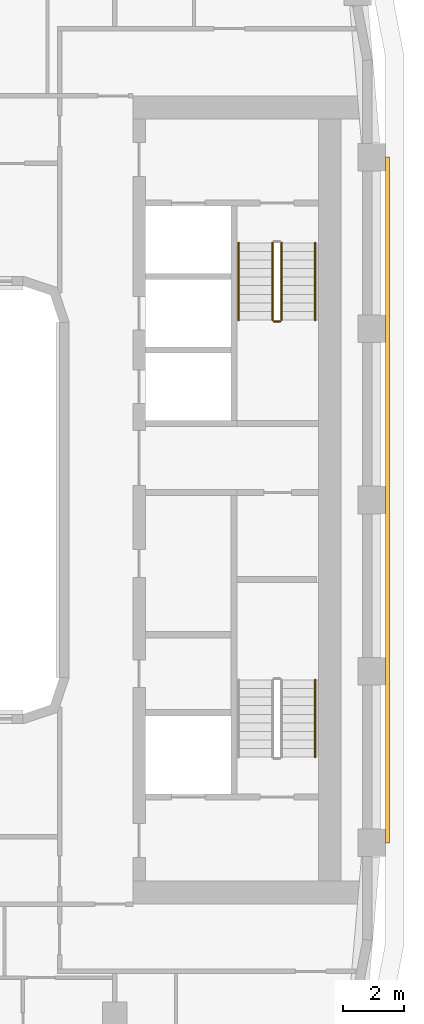
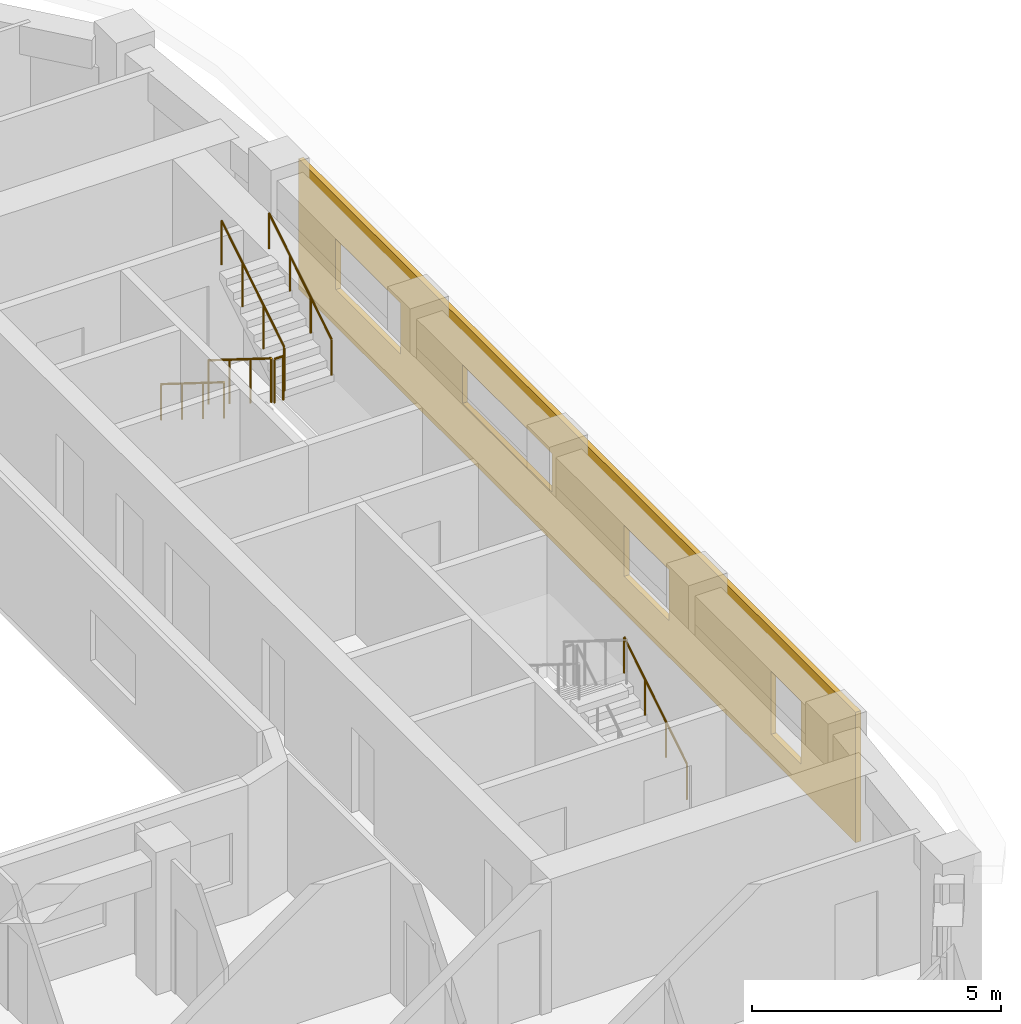
# One storey, part 18 of 21: 6 railings, 1 covering.
"""IFC4 building model written with IfcOpenShell, lengths in metres."""

from ifc_helpers import new_model, si_unit, direction, frame, origin, origin_2d, place, context, subcontext, project, spatial, polyline, circle, outline, extrude, material, layer, layer_set, type_object, element, save


model = new_model("IFC4")

# Units and contexts
model_context = context("Model", 3, precision=1e-05, world=origin(), true_north=direction((0.0, 1.0)))
body_context = subcontext(model_context, "Body", "Model", "MODEL_VIEW")
ifc_project = project(units=[si_unit("LENGTHUNIT", "METRE"), si_unit("AREAUNIT", "SQUARE_METRE"), si_unit("VOLUMEUNIT", "CUBIC_METRE"), si_unit("PLANEANGLEUNIT", "RADIAN"), si_unit("MASSUNIT", "GRAM", prefix="KILO")], contexts=[model_context])

# Site, building, storey
site_placement = place(None, origin())
site = spatial("IfcSite", under=ifc_project, at=site_placement, CompositionType="ELEMENT")
building_placement = place(site_placement, origin())
building = spatial("IfcBuilding", under=site, at=building_placement, Name="Kiln Ring Residences", CompositionType="ELEMENT")
storey_placement = place(building_placement, frame((0.0, 0.0, 192.39990234375)))
storey = spatial("IfcBuildingStorey", under=building, at=storey_placement, Name="L49", CompositionType="ELEMENT", Elevation=192.39990234375)

# Railings
ifc_material_1 = material(Name="Stainless steel", Category="steel")
railing_type_1 = type_object("IfcRailingType", Name="CORE-STAIR-GUARD", PredefinedType="GUARDRAIL", material=ifc_material_1)
railing_1_placement = place(storey_placement, frame((21.949951171875, 8.39990234375, 0.175048828125)))
element("IfcRailing", 1, at=railing_1_placement, inside=storey, type_object=railing_type_1, Name="L49 E-STN stair guard 1", PredefinedType="GUARDRAIL", context=body_context, shape_type="SweptSolid", body=[
    extrude(circle(Radius=0.02392578125, at=origin_2d()), frame((0.0, 0.0, 1.076171875), z_axis=(0.0, -0.848007534815, 0.529984170421), x_axis=(1.0, 0.0, 0.0)), (0.0, 0.0, 1.0), 2.9716796875),
    extrude(circle(Radius=0.02099609375, at=origin_2d()), origin(), (0.0, 0.0, 1.0), 1.052001953125),
    extrude(circle(Radius=0.02099609375, at=origin_2d()), frame((0.0, -0.840087890625, 0.52490234375)), (0.0, 0.0, 1.0), 1.052001953125),
    extrude(circle(Radius=0.02099609375, at=origin_2d()), frame((0.0, -1.679931640625, 1.050048828125)), (0.0, 0.0, 1.0), 1.052001953125),
    extrude(circle(Radius=0.02099609375, at=origin_2d()), frame((0.0, -2.52001953125, 1.574951171875)), (0.0, 0.0, 1.0), 1.052001953125),
])
railing_2_placement = place(storey_placement, frame((22.0, 5.830078125, 1.75)))
element("IfcRailing", 2, at=railing_2_placement, inside=storey, type_object=railing_type_1, Name="L49 E-STN stair guard 2", PredefinedType="GUARDRAIL", context=body_context, shape_type="SweptSolid", body=[
    extrude(circle(Radius=0.02392578125, at=origin_2d()), frame((0.0, 0.0, 1.076171875), z_axis=(1.0, 0.0, 0.0), x_axis=(0.0, 1.0, 0.0)), (0.0, 0.0, 1.0), 0.199951171875),
    extrude(circle(Radius=0.02099609375, at=origin_2d()), origin(), (0.0, 0.0, 1.0), 1.052001953125),
    extrude(circle(Radius=0.02099609375, at=origin_2d()), frame((0.199951171875, 0.0, 0.0)), (0.0, 0.0, 1.0), 1.052001953125),
])
railing_3_placement = place(storey_placement, frame((22.25, 5.8798828125, 1.925048828125)))
element("IfcRailing", 3, at=railing_3_placement, inside=storey, type_object=railing_type_1, Name="L49 E-STN stair guard 3", PredefinedType="GUARDRAIL", context=body_context, shape_type="SweptSolid", body=[
    extrude(circle(Radius=0.02392578125, at=origin_2d()), frame((0.0, 0.0, 1.076171875), z_axis=(0.0, 0.848007534815, 0.529984170421), x_axis=(-1.0, 0.0, 0.0)), (0.0, 0.0, 1.0), 2.9716796875),
    extrude(circle(Radius=0.02099609375, at=origin_2d()), origin(), (0.0, 0.0, 1.0), 1.052001953125),
    extrude(circle(Radius=0.02099609375, at=origin_2d()), frame((0.0, 0.840087890625, 0.52490234375)), (0.0, 0.0, 1.0), 1.052001953125),
    extrude(circle(Radius=0.02099609375, at=origin_2d()), frame((0.0, 1.679931640625, 1.050048828125)), (0.0, 0.0, 1.0), 1.052001953125),
    extrude(circle(Radius=0.02099609375, at=origin_2d()), frame((0.0, 2.52001953125, 1.574951171875)), (0.0, 0.0, 1.0), 1.052001953125),
])
ifc_material_2 = material(Name="Stainless steel", Category="steel")
railing_type_2 = type_object("IfcRailingType", Name="CORE-STAIR-HANDRAIL", PredefinedType="HANDRAIL", material=ifc_material_2)
railing_4_placement = place(storey_placement, frame((20.85009765625, 8.39990234375, 0.175048828125)))
element("IfcRailing", 4, at=railing_4_placement, inside=storey, type_object=railing_type_2, Name="L49 E-STN stair handrail 1", PredefinedType="HANDRAIL", context=body_context, shape_type="SweptSolid", body=[
    extrude(circle(Radius=0.02392578125, at=origin_2d()), frame((0.0, 0.0, 0.8759765625), z_axis=(0.0, -0.848007534815, 0.529984170421), x_axis=(1.0, 0.0, 0.0)), (0.0, 0.0, 1.0), 2.9716796875),
    extrude(circle(Radius=0.02099609375, at=origin_2d()), origin(), (0.0, 0.0, 1.0), 0.851806640625),
    extrude(circle(Radius=0.02099609375, at=origin_2d()), frame((0.0, -0.840087890625, 0.52490234375)), (0.0, 0.0, 1.0), 0.851806640625),
    extrude(circle(Radius=0.02099609375, at=origin_2d()), frame((0.0, -1.679931640625, 1.050048828125)), (0.0, 0.0, 1.0), 0.851806640625),
    extrude(circle(Radius=0.02099609375, at=origin_2d()), frame((0.0, -2.52001953125, 1.574951171875)), (0.0, 0.0, 1.0), 0.851806640625),
])
for number, where, name in (
    (5, (23.35009765625, 5.8798828125, 1.925048828125), "L49 E-STN stair handrail 2"),
    (6, (23.35009765625, -8.39990234375, 0.175048828125), "L49 E-STS stair handrail 1"),
):
    element("IfcRailing", number, at=place(storey_placement, frame(where)), inside=storey, type_object=railing_type_2, Name=name, PredefinedType="HANDRAIL", context=body_context, shape_type="SweptSolid", body=[
        extrude(circle(Radius=0.02392578125, at=origin_2d()), frame((0.0, 0.0, 0.8759765625), z_axis=(0.0, 0.848007534815, 0.529984170421), x_axis=(-1.0, 0.0, 0.0)), (0.0, 0.0, 1.0), 2.9716796875),
        extrude(circle(Radius=0.02099609375, at=origin_2d()), origin(), (0.0, 0.0, 1.0), 0.851806640625),
        extrude(circle(Radius=0.02099609375, at=origin_2d()), frame((0.0, 0.840087890625, 0.52490234375)), (0.0, 0.0, 1.0), 0.851806640625),
        extrude(circle(Radius=0.02099609375, at=origin_2d()), frame((0.0, 1.679931640625, 1.050048828125)), (0.0, 0.0, 1.0), 0.851806640625),
        extrude(circle(Radius=0.02099609375, at=origin_2d()), frame((0.0, 2.52001953125, 1.574951171875)), (0.0, 0.0, 1.0), 0.851806640625),
    ])

# Covering
ifc_material_3 = material(Name="Brick masonry, dark clay brick", Category="masonry")
ifc_layer = layer(ifc_material_3, 0.1201171875)
ifc_layer_set = layer_set([ifc_layer], Name="RAINSCREEN PANEL 120")
covering_type = type_object("IfcCoveringType", Name="RAINSCREEN PANEL 120", PredefinedType="CLADDING", material=ifc_layer_set)
covering_placement = place(storey_placement, frame((25.7099609375, -11.199951171875, 0.0), z_axis=(0.0, 0.0, 1.0), x_axis=(0.0, 1.0, 0.0)))
element("IfcCovering", 7, at=covering_placement, inside=storey, type_object=covering_type, Name="RAINSCREEN L49", PredefinedType="CLADDING", context=body_context, shape_type="SweptSolid", body=[
    extrude(outline(polyline([(0.0, 0.0), (22.39990234375, 0.0), (22.39990234375, 3.2001953125), (0.0, 3.2001953125), (0.0, 0.0)]), holes=[polyline([(3.39990234375, 0.60009765625), (3.39990234375, 2.150146484375), (2.199951171875, 2.150146484375), (2.199951171875, 0.60009765625), (3.39990234375, 0.60009765625)]), polyline([(9.300048828125, 0.900146484375), (9.300048828125, 2.150146484375), (7.5, 2.150146484375), (7.5, 0.900146484375), (9.300048828125, 0.900146484375)]), polyline([(20.89990234375, 0.900146484375), (20.89990234375, 2.150146484375), (18.300048828125, 2.150146484375), (18.300048828125, 0.900146484375), (20.89990234375, 0.900146484375)]), polyline([(15.800048828125, 1.2001953125), (15.800048828125, 2.150146484375), (12.199951171875, 2.150146484375), (12.199951171875, 1.2001953125), (15.800048828125, 1.2001953125)])]), frame((0.0, 0.06005859375, 0.0), z_axis=(0.0, -1.0, 0.0), x_axis=(1.0, 0.0, 0.0)), (0.0, 0.0, 1.0), 0.1201171875),
])

save(model, "model.ifc")
